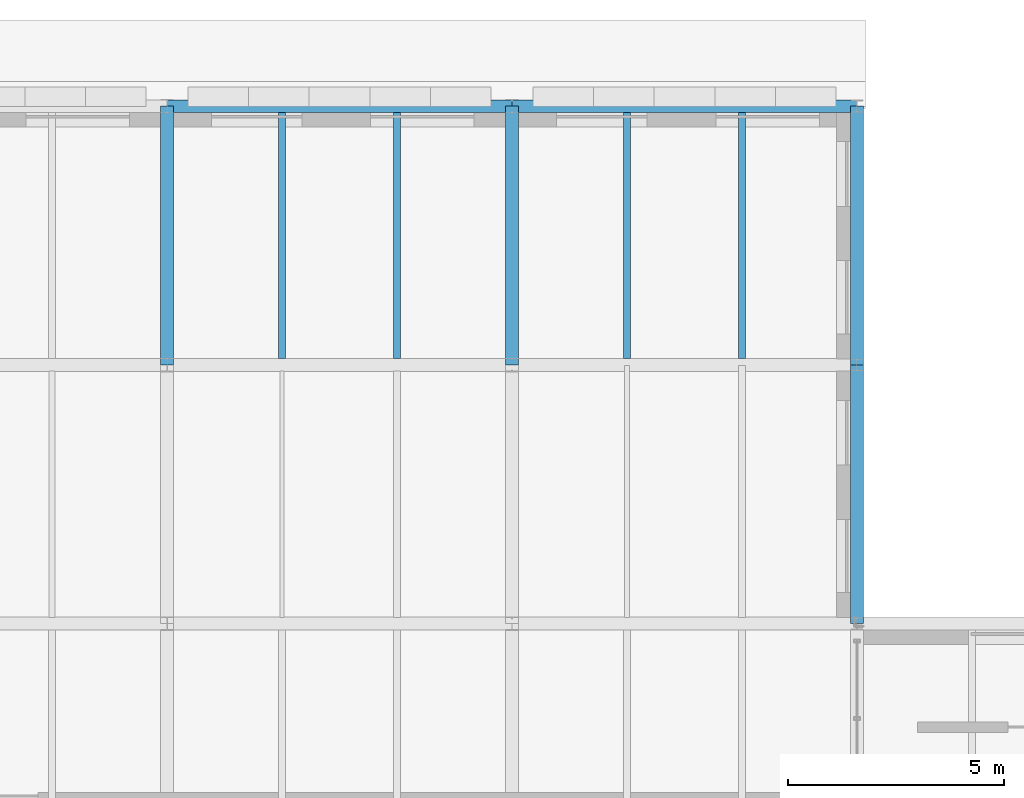
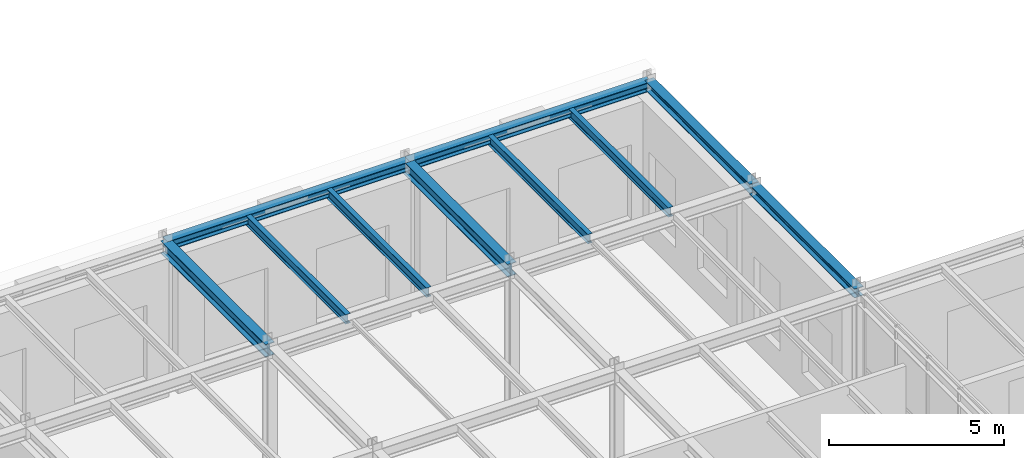
# One storey, part 54 of 129: 10 beams.
"""IFC4 building model written with IfcOpenShell, lengths in metres."""

from ifc_helpers import new_model, si_unit, direction, frame, origin, origin_2d, place, context, subcontext, project, spatial, i_section, extrude, material, material_profile, profile_set, type_object, element, save


model = new_model("IFC4")

# Units and contexts
model_context = context("Model", 3, precision=1e-05, world=origin(), true_north=direction((0.0, 1.0)))
body_context = subcontext(model_context, "Body", "Model", "MODEL_VIEW")
ifc_project = project(units=[si_unit("LENGTHUNIT", "METRE"), si_unit("AREAUNIT", "SQUARE_METRE"), si_unit("VOLUMEUNIT", "CUBIC_METRE"), si_unit("PLANEANGLEUNIT", "RADIAN"), si_unit("MASSUNIT", "GRAM", prefix="KILO")], contexts=[model_context])

# Site, building, storey
site_placement = place(None, origin())
site = spatial("IfcSite", under=ifc_project, at=site_placement, CompositionType="ELEMENT")
building_placement = place(site_placement, origin())
building = spatial("IfcBuilding", under=site, at=building_placement, Name="Sundkrona Museum", CompositionType="ELEMENT")
storey_placement = place(building_placement, origin())
storey = spatial("IfcBuildingStorey", under=building, at=storey_placement, Name="L00", CompositionType="ELEMENT", Elevation=0.0)

# Beams
ifc_material = material(Name="Steel S355J2", Category="steel")
ifc_material_profile_1 = material_profile(ifc_material, i_section(OverallWidth=0.300048828125, OverallDepth=0.43994140625, WebThickness=0.011474609375, FlangeThickness=0.02099609375, FilletRadius=0.027099609375, at=origin_2d()), Name="HEA 450")
ifc_profile_set_1 = profile_set([ifc_material_profile_1], Name="Steel S355J2")
beam_type_1 = type_object("IfcBeamType", Name="B-HEA450", PredefinedType="BEAM", material=ifc_profile_set_1)
for number, where, z_axis, x_axis, name in (
    (1, (64.0, 108.0, 4.93994140625), (0.0, 1.0, 0.0), (-1.0, 0.0, 0.0), "L00 Girder Y-0665"),
    (2, (72.0, 108.0, 4.93994140625), (0.0, 1.0, 0.0), (-1.0, 0.0, 0.0), "L00 Girder Y-0670"),
):
    element("IfcBeam", number, at=place(storey_placement, frame(where, z_axis=z_axis, x_axis=x_axis)), inside=storey, type_object=beam_type_1, Name=name, PredefinedType="BEAM", context=body_context, shape_type="SweptSolid", body=[
        extrude(i_section(OverallWidth=0.300048828125, OverallDepth=0.43994140625, WebThickness=0.011474609375, FlangeThickness=0.02099609375, FilletRadius=0.027099609375, at=origin_2d()), origin(), (0.0, 0.0, 1.0), 6.0),
    ])
ifc_material_profile_2 = material_profile(ifc_material, i_section(OverallWidth=0.159912109375, OverallDepth=0.330078125, WebThickness=0.007568359375, FlangeThickness=0.011474609375, FilletRadius=0.01806640625, at=origin_2d()), Name="IPE 330")
ifc_profile_set_2 = profile_set([ifc_material_profile_2], Name="Steel S355J2")
beam_type_2 = type_object("IfcBeamType", Name="J-IPE330", PredefinedType="JOIST", material=ifc_profile_set_2)
for number, where, z_axis, x_axis, name in (
    (3, (66.666748046875, 108.14404296875, 4.9951171875), (0.0, 1.0, 0.0), (-1.0, 0.0, 0.0), "L00 Composite Joist 0377"),
    (4, (69.333251953125, 108.14404296875, 4.9951171875), (0.0, 1.0, 0.0), (-1.0, 0.0, 0.0), "L00 Composite Joist 0378"),
    (5, (74.666748046875, 108.14404296875, 4.9951171875), (0.0, 1.0, 0.0), (-1.0, 0.0, 0.0), "L00 Composite Joist 0387"),
    (6, (77.333251953125, 108.14404296875, 4.9951171875), (0.0, 1.0, 0.0), (-1.0, 0.0, 0.0), "L00 Composite Joist 0388"),
):
    element("IfcBeam", number, at=place(storey_placement, frame(where, z_axis=z_axis, x_axis=x_axis)), inside=storey, type_object=beam_type_2, Name=name, PredefinedType="JOIST", context=body_context, shape_type="SweptSolid", body=[
        extrude(i_section(OverallWidth=0.159912109375, OverallDepth=0.330078125, WebThickness=0.007568359375, FlangeThickness=0.011474609375, FilletRadius=0.01806640625, at=origin_2d()), origin(), (0.0, 0.0, 1.0), 5.7119140625),
    ])
ifc_material_profile_3 = material_profile(ifc_material, i_section(OverallWidth=0.300048828125, OverallDepth=0.320068359375, WebThickness=0.011474609375, FlangeThickness=0.0205078125, FilletRadius=0.027099609375, at=origin_2d()), Name="HEB 320")
ifc_profile_set_3 = profile_set([ifc_material_profile_3], Name="Steel S355J2")
beam_type_3 = type_object("IfcBeamType", Name="SP-HEB320", PredefinedType="SPANDREL", material=ifc_profile_set_3)
for number, where, z_axis, x_axis, name in (
    (7, (64.0, 114.0, 5.0), (1.0, 0.0, 0.0), (0.0, 1.0, 0.0), "L00 Girder X-0605"),
    (8, (72.0, 114.0, 5.0), (1.0, 0.0, 0.0), (0.0, 1.0, 0.0), "L00 Girder X-0606"),
):
    element("IfcBeam", number, at=place(storey_placement, frame(where, z_axis=z_axis, x_axis=x_axis)), inside=storey, type_object=beam_type_3, Name=name, PredefinedType="SPANDREL", context=body_context, shape_type="SweptSolid", body=[
        extrude(i_section(OverallWidth=0.300048828125, OverallDepth=0.320068359375, WebThickness=0.011474609375, FlangeThickness=0.0205078125, FilletRadius=0.027099609375, at=origin_2d()), origin(), (0.0, 0.0, 1.0), 8.0),
    ])
for number, where, z_axis, x_axis, name in (
    (9, (80.0, 102.0, 4.97998046875), (0.0, 1.0, 0.0), (-1.0, 0.0, 0.0), "L00 Girder Y-0684"),
    (10, (80.0, 108.0, 5.0), (0.0, 1.0, 0.0), (-1.0, 0.0, 0.0), "L00 Girder Y-0685"),
):
    element("IfcBeam", number, at=place(storey_placement, frame(where, z_axis=z_axis, x_axis=x_axis)), inside=storey, type_object=beam_type_3, Name=name, PredefinedType="SPANDREL", context=body_context, shape_type="SweptSolid", body=[
        extrude(i_section(OverallWidth=0.300048828125, OverallDepth=0.320068359375, WebThickness=0.011474609375, FlangeThickness=0.0205078125, FilletRadius=0.027099609375, at=origin_2d()), origin(), (0.0, 0.0, 1.0), 6.0),
    ])

save(model, "model.ifc")
